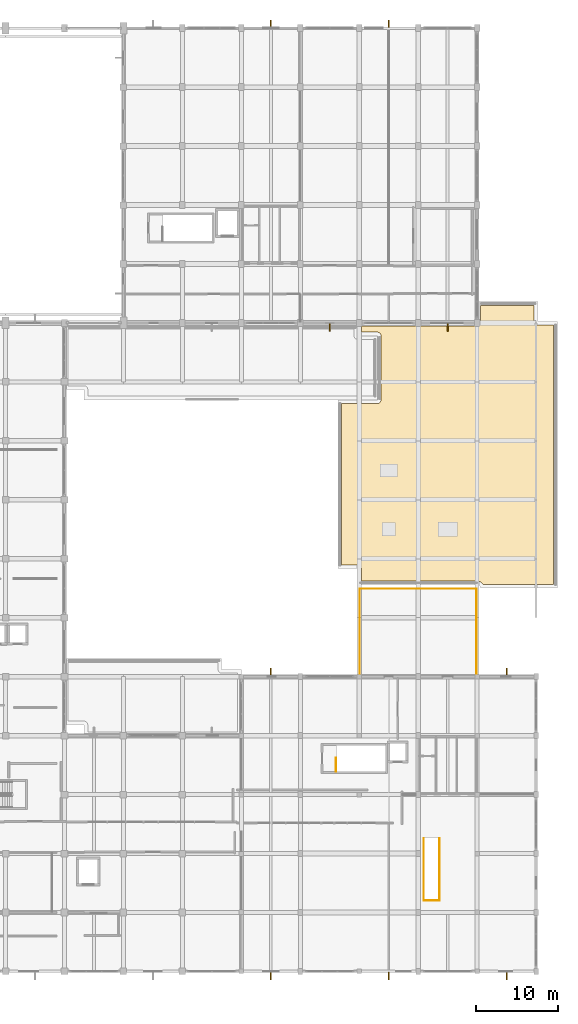
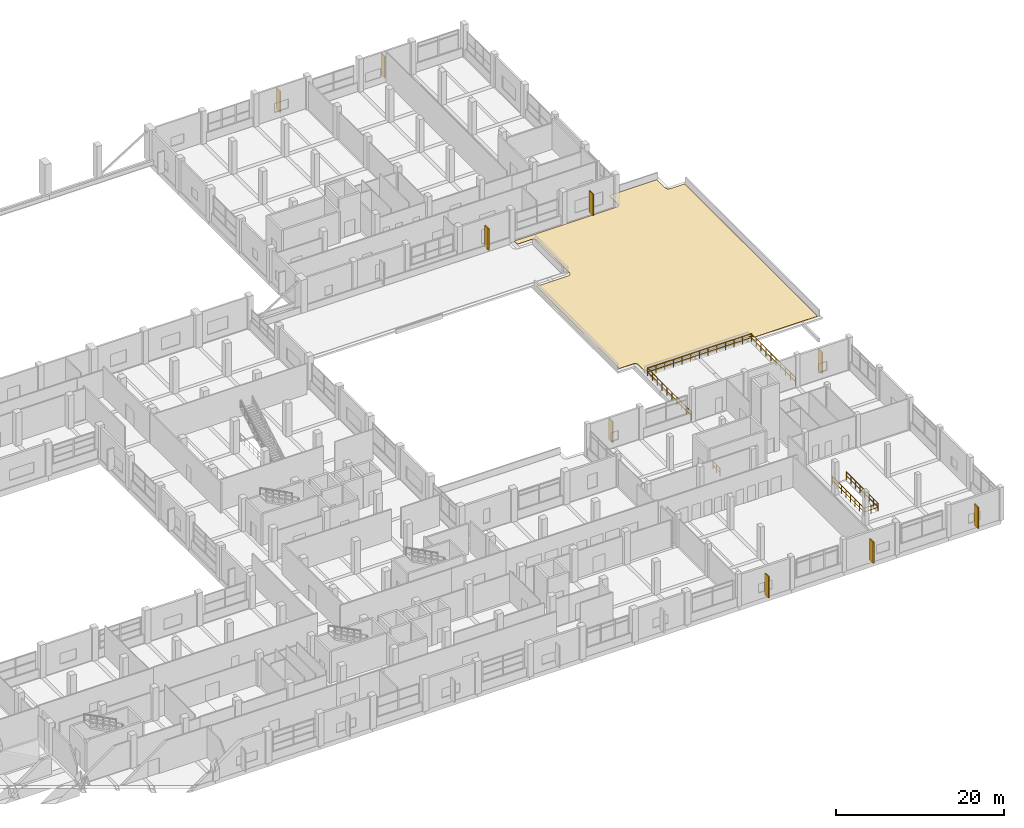
# One storey, part 140 of 140: 9 shading devices, 7 railings, 1 covering.
"""IFC4 building model written with IfcOpenShell, lengths in metres."""

from ifc_helpers import new_model, si_unit, direction, frame, origin, origin_2d, place, context, subcontext, project, spatial, polyline, rectangle, circle, outline, extrude, material, layer, layer_set, type_object, element, save


model = new_model("IFC4")

# Units and contexts
model_context = context("Model", 3, precision=1e-05, world=origin(), true_north=direction((0.0, 1.0)))
body_context = subcontext(model_context, "Body", "Model", "MODEL_VIEW")
ifc_project = project(units=[si_unit("LENGTHUNIT", "METRE"), si_unit("AREAUNIT", "SQUARE_METRE"), si_unit("VOLUMEUNIT", "CUBIC_METRE"), si_unit("PLANEANGLEUNIT", "RADIAN"), si_unit("MASSUNIT", "GRAM", prefix="KILO")], contexts=[model_context])

# Site, building, storey
site_placement = place(None, origin())
site = spatial("IfcSite", under=ifc_project, at=site_placement, CompositionType="ELEMENT")
building_placement = place(site_placement, origin())
building = spatial("IfcBuilding", under=site, at=building_placement, Name="Seraya Terrace Polytechnic", CompositionType="ELEMENT")
storey_placement = place(building_placement, frame((0.0, 0.0, 9.60009765625)))
storey = spatial("IfcBuildingStorey", under=building, at=storey_placement, Name="L02", CompositionType="ELEMENT", Elevation=9.60009765625)

# Shading devices
ifc_material_1 = material(Name="Precast concrete C40/50", Category="concrete")
shading_device_type = type_object("IfcShadingDeviceType", Name="BS-F1", PredefinedType="JALOUSIE", material=ifc_material_1)
for number, where, z_axis, x_axis, name in (
    (1, (133.199951171875, 36.570068359375, 0.449951171875), (0.0, 0.0, 1.0), (0.0, 1.0, 0.0), "Precast concrete brise-soleil fin L02"),
    (2, (162.0, 36.570068359375, 0.449951171875), (0.0, 0.0, 1.0), (0.0, 1.0, 0.0), "Precast concrete brise-soleil fin L02"),
    (3, (162.0, -0.570068359375, 0.449951171875), (0.0, 0.0, 1.0), (0.0, -1.0, 0.0), "Precast concrete brise-soleil fin L02"),
    (4, (147.60009765625, -0.570068359375, 0.449951171875), (0.0, 0.0, 1.0), (0.0, -1.0, 0.0), "Precast concrete brise-soleil fin L02"),
    (5, (133.199951171875, -0.570068359375, 0.449951171875), (0.0, 0.0, 1.0), (0.0, -1.0, 0.0), "Precast concrete brise-soleil fin L02"),
    (6, (154.800048828125, 78.64990234375, 0.449951171875), (0.0, 0.0, 1.0), (0.0, -1.0, 0.0), "Precast concrete brise-soleil fin L02"),
    (7, (140.39990234375, 78.64990234375, 0.449951171875), (0.0, 0.0, 1.0), (0.0, -1.0, 0.0), "Precast concrete brise-soleil fin L02"),
    (8, (133.199951171875, 115.75, 0.449951171875), (0.0, 0.0, 1.0), (0.0, 1.0, 0.0), "Precast concrete brise-soleil fin L02"),
    (9, (147.60009765625, 115.75, 0.449951171875), (0.0, 0.0, 1.0), (0.0, 1.0, 0.0), "Precast concrete brise-soleil fin L02"),
):
    element("IfcShadingDevice", number, at=place(storey_placement, frame(where, z_axis=z_axis, x_axis=x_axis)), inside=storey, type_object=shading_device_type, Name=name, PredefinedType="JALOUSIE", context=body_context, shape_type="SweptSolid", body=[
        extrude(rectangle(XDim=0.89990234375, YDim=0.14990234375, at=origin_2d()), origin(), (0.0, 0.0, 1.0), 3.10009765625),
    ])

# Railings
ifc_material_2 = material(Name="Steel S355J2", Category="steel")
railing_type_1 = type_object("IfcRailingType", Name="GR-01", PredefinedType="GUARDRAIL", material=ifc_material_2)
railing_1_placement = place(storey_placement, frame((158.340087890625, 36.239990234375, 0.0)))
element("IfcRailing", 10, at=railing_1_placement, inside=storey, type_object=railing_type_1, Name="Terrace perimeter guardrail TERR-L02-E E1", PredefinedType="GUARDRAIL", context=body_context, shape_type="SweptSolid", body=[
    extrude(circle(Radius=0.02392578125, at=origin_2d()), frame((0.0, 0.0, 1.10595703125), z_axis=(0.0, 1.0, 0.0), x_axis=(-1.0, 0.0, 0.0)), (0.0, 0.0, 1.0), 10.5),
    extrude(circle(Radius=0.02392578125, at=origin_2d()), frame((0.0, 0.0, 0.550048828125), z_axis=(0.0, 1.0, 0.0), x_axis=(-1.0, 0.0, 0.0)), (0.0, 0.0, 1.0), 10.5),
    extrude(circle(Radius=0.02099609375, at=origin_2d()), origin(), (0.0, 0.0, 1.0), 1.081787109375),
    extrude(circle(Radius=0.02099609375, at=origin_2d()), frame((0.0, 1.166748046875, 0.0)), (0.0, 0.0, 1.0), 1.081787109375),
    extrude(circle(Radius=0.02099609375, at=origin_2d()), frame((0.0, 2.333251953125, 0.0)), (0.0, 0.0, 1.0), 1.081787109375),
    extrude(circle(Radius=0.02099609375, at=origin_2d()), frame((0.0, 3.5, 0.0)), (0.0, 0.0, 1.0), 1.081787109375),
    extrude(circle(Radius=0.02099609375, at=origin_2d()), frame((0.0, 4.666748046875, 0.0)), (0.0, 0.0, 1.0), 1.081787109375),
    extrude(circle(Radius=0.02099609375, at=origin_2d()), frame((0.0, 5.833251953125, 0.0)), (0.0, 0.0, 1.0), 1.081787109375),
    extrude(circle(Radius=0.02099609375, at=origin_2d()), frame((0.0, 7.0, 0.0)), (0.0, 0.0, 1.0), 1.081787109375),
    extrude(circle(Radius=0.02099609375, at=origin_2d()), frame((0.0, 8.166748046875, 0.0)), (0.0, 0.0, 1.0), 1.081787109375),
    extrude(circle(Radius=0.02099609375, at=origin_2d()), frame((0.0, 9.333251953125, 0.0)), (0.0, 0.0, 1.0), 1.081787109375),
    extrude(circle(Radius=0.02099609375, at=origin_2d()), frame((0.0, 10.5, 0.0)), (0.0, 0.0, 1.0), 1.081787109375),
])
railing_2_placement = place(storey_placement, frame((158.340087890625, 46.739990234375, 0.0)))
element("IfcRailing", 11, at=railing_2_placement, inside=storey, type_object=railing_type_1, Name="Terrace perimeter guardrail TERR-L02-E N1", PredefinedType="GUARDRAIL", context=body_context, shape_type="SweptSolid", body=[
    extrude(circle(Radius=0.02392578125, at=origin_2d()), frame((0.0, 0.0, 1.10595703125), z_axis=(-1.0, 0.0, 0.0), x_axis=(0.0, -1.0, 0.0)), (0.0, 0.0, 1.0), 14.280029296875),
    extrude(circle(Radius=0.02392578125, at=origin_2d()), frame((0.0, 0.0, 0.550048828125), z_axis=(-1.0, 0.0, 0.0), x_axis=(0.0, -1.0, 0.0)), (0.0, 0.0, 1.0), 14.280029296875),
    extrude(circle(Radius=0.02099609375, at=origin_2d()), origin(), (0.0, 0.0, 1.0), 1.081787109375),
    extrude(circle(Radius=0.02099609375, at=origin_2d()), frame((-1.18994140625, 0.0, 0.0)), (0.0, 0.0, 1.0), 1.081787109375),
    extrude(circle(Radius=0.02099609375, at=origin_2d()), frame((-2.3798828125, 0.0, 0.0)), (0.0, 0.0, 1.0), 1.081787109375),
    extrude(circle(Radius=0.02099609375, at=origin_2d()), frame((-3.570068359375, 0.0, 0.0)), (0.0, 0.0, 1.0), 1.081787109375),
    extrude(circle(Radius=0.02099609375, at=origin_2d()), frame((-4.760009765625, 0.0, 0.0)), (0.0, 0.0, 1.0), 1.081787109375),
    extrude(circle(Radius=0.02099609375, at=origin_2d()), frame((-5.949951171875, 0.0, 0.0)), (0.0, 0.0, 1.0), 1.081787109375),
    extrude(circle(Radius=0.02099609375, at=origin_2d()), frame((-7.14013671875, 0.0, 0.0)), (0.0, 0.0, 1.0), 1.081787109375),
    extrude(circle(Radius=0.02099609375, at=origin_2d()), frame((-8.330078125, 0.0, 0.0)), (0.0, 0.0, 1.0), 1.081787109375),
    extrude(circle(Radius=0.02099609375, at=origin_2d()), frame((-9.52001953125, 0.0, 0.0)), (0.0, 0.0, 1.0), 1.081787109375),
    extrude(circle(Radius=0.02099609375, at=origin_2d()), frame((-10.7099609375, 0.0, 0.0)), (0.0, 0.0, 1.0), 1.081787109375),
    extrude(circle(Radius=0.02099609375, at=origin_2d()), frame((-11.89990234375, 0.0, 0.0)), (0.0, 0.0, 1.0), 1.081787109375),
    extrude(circle(Radius=0.02099609375, at=origin_2d()), frame((-13.090087890625, 0.0, 0.0)), (0.0, 0.0, 1.0), 1.081787109375),
    extrude(circle(Radius=0.02099609375, at=origin_2d()), frame((-14.280029296875, 0.0, 0.0)), (0.0, 0.0, 1.0), 1.081787109375),
])
railing_3_placement = place(storey_placement, frame((144.06005859375, 46.739990234375, 0.0)))
element("IfcRailing", 12, at=railing_3_placement, inside=storey, type_object=railing_type_1, Name="Terrace perimeter guardrail TERR-L02-E W1", PredefinedType="GUARDRAIL", context=body_context, shape_type="SweptSolid", body=[
    extrude(circle(Radius=0.02392578125, at=origin_2d()), frame((0.0, 0.0, 1.10595703125), z_axis=(0.0, -1.0, 0.0), x_axis=(1.0, 0.0, 0.0)), (0.0, 0.0, 1.0), 10.5),
    extrude(circle(Radius=0.02392578125, at=origin_2d()), frame((0.0, 0.0, 0.550048828125), z_axis=(0.0, -1.0, 0.0), x_axis=(1.0, 0.0, 0.0)), (0.0, 0.0, 1.0), 10.5),
    extrude(circle(Radius=0.02099609375, at=origin_2d()), origin(), (0.0, 0.0, 1.0), 1.081787109375),
    extrude(circle(Radius=0.02099609375, at=origin_2d()), frame((0.0, -1.166748046875, 0.0)), (0.0, 0.0, 1.0), 1.081787109375),
    extrude(circle(Radius=0.02099609375, at=origin_2d()), frame((0.0, -2.333251953125, 0.0)), (0.0, 0.0, 1.0), 1.081787109375),
    extrude(circle(Radius=0.02099609375, at=origin_2d()), frame((0.0, -3.5, 0.0)), (0.0, 0.0, 1.0), 1.081787109375),
    extrude(circle(Radius=0.02099609375, at=origin_2d()), frame((0.0, -4.666748046875, 0.0)), (0.0, 0.0, 1.0), 1.081787109375),
    extrude(circle(Radius=0.02099609375, at=origin_2d()), frame((0.0, -5.833251953125, 0.0)), (0.0, 0.0, 1.0), 1.081787109375),
    extrude(circle(Radius=0.02099609375, at=origin_2d()), frame((0.0, -7.0, 0.0)), (0.0, 0.0, 1.0), 1.081787109375),
    extrude(circle(Radius=0.02099609375, at=origin_2d()), frame((0.0, -8.166748046875, 0.0)), (0.0, 0.0, 1.0), 1.081787109375),
    extrude(circle(Radius=0.02099609375, at=origin_2d()), frame((0.0, -9.333251953125, 0.0)), (0.0, 0.0, 1.0), 1.081787109375),
    extrude(circle(Radius=0.02099609375, at=origin_2d()), frame((0.0, -10.5, 0.0)), (0.0, 0.0, 1.0), 1.081787109375),
])
railing_type_2 = type_object("IfcRailingType", Name="GR-02", PredefinedType="GUARDRAIL", material=ifc_material_2)
railing_4_placement = place(storey_placement, frame((141.14990234375, 24.39990234375, 0.0)))
element("IfcRailing", 13, at=railing_4_placement, inside=storey, type_object=railing_type_2, Name="L02 ST-10 top well guard 1", PredefinedType="GUARDRAIL", context=body_context, shape_type="SweptSolid", body=[
    extrude(circle(Radius=0.02392578125, at=origin_2d()), frame((0.0, 0.0, 1.10595703125), z_axis=(0.0, 1.0, 0.0), x_axis=(-1.0, 0.0, 0.0)), (0.0, 0.0, 1.0), 1.7001953125),
    extrude(circle(Radius=0.02392578125, at=origin_2d()), frame((0.0, 0.0, 0.550048828125), z_axis=(0.0, 1.0, 0.0), x_axis=(-1.0, 0.0, 0.0)), (0.0, 0.0, 1.0), 1.7001953125),
    extrude(circle(Radius=0.02099609375, at=origin_2d()), origin(), (0.0, 0.0, 1.0), 1.081787109375),
    extrude(circle(Radius=0.02099609375, at=origin_2d()), frame((0.0, 0.85009765625, 0.0)), (0.0, 0.0, 1.0), 1.081787109375),
    extrude(circle(Radius=0.02099609375, at=origin_2d()), frame((0.0, 1.7001953125, 0.0)), (0.0, 0.0, 1.0), 1.081787109375),
])
railing_5_placement = place(storey_placement, frame((151.8798828125, 8.679931640625, 0.0)))
element("IfcRailing", 14, at=railing_5_placement, inside=storey, type_object=railing_type_2, Name="ST-14 top opening guard L02.1", PredefinedType="GUARDRAIL", context=body_context, shape_type="SweptSolid", body=[
    extrude(circle(Radius=0.02392578125, at=origin_2d()), frame((0.0, 0.0, 1.10595703125), z_axis=(1.0, 0.0, 0.0), x_axis=(0.0, 1.0, 0.0)), (0.0, 0.0, 1.0), 1.920166015625),
    extrude(circle(Radius=0.02392578125, at=origin_2d()), frame((0.0, 0.0, 0.550048828125), z_axis=(1.0, 0.0, 0.0), x_axis=(0.0, 1.0, 0.0)), (0.0, 0.0, 1.0), 1.920166015625),
    extrude(circle(Radius=0.02099609375, at=origin_2d()), origin(), (0.0, 0.0, 1.0), 1.081787109375),
    extrude(circle(Radius=0.02099609375, at=origin_2d()), frame((0.9599609375, 0.0, 0.0)), (0.0, 0.0, 1.0), 1.081787109375),
    extrude(circle(Radius=0.02099609375, at=origin_2d()), frame((1.920166015625, 0.0, 0.0)), (0.0, 0.0, 1.0), 1.081787109375),
])
for number, where, name in (
    (15, (151.8798828125, 8.739990234375, 0.0), "ST-14 top opening guard L02.2"),
    (16, (153.800048828125, 8.739990234375, 0.0), "ST-14 top opening guard L02.3"),
):
    element("IfcRailing", number, at=place(storey_placement, frame(where)), inside=storey, type_object=railing_type_2, Name=name, PredefinedType="GUARDRAIL", context=body_context, shape_type="SweptSolid", body=[
        extrude(circle(Radius=0.02392578125, at=origin_2d()), frame((0.0, 0.0, 1.10595703125), z_axis=(0.0, 1.0, 0.0), x_axis=(-1.0, 0.0, 0.0)), (0.0, 0.0, 1.0), 7.47998046875),
        extrude(circle(Radius=0.02392578125, at=origin_2d()), frame((0.0, 0.0, 0.550048828125), z_axis=(0.0, 1.0, 0.0), x_axis=(-1.0, 0.0, 0.0)), (0.0, 0.0, 1.0), 7.47998046875),
        extrude(circle(Radius=0.02099609375, at=origin_2d()), origin(), (0.0, 0.0, 1.0), 1.081787109375),
        extrude(circle(Radius=0.02099609375, at=origin_2d()), frame((0.0, 1.068603515625, 0.0)), (0.0, 0.0, 1.0), 1.081787109375),
        extrude(circle(Radius=0.02099609375, at=origin_2d()), frame((0.0, 2.13720703125, 0.0)), (0.0, 0.0, 1.0), 1.081787109375),
        extrude(circle(Radius=0.02099609375, at=origin_2d()), frame((0.0, 3.205810546875, 0.0)), (0.0, 0.0, 1.0), 1.081787109375),
        extrude(circle(Radius=0.02099609375, at=origin_2d()), frame((0.0, 4.274169921875, 0.0)), (0.0, 0.0, 1.0), 1.081787109375),
        extrude(circle(Radius=0.02099609375, at=origin_2d()), frame((0.0, 5.3427734375, 0.0)), (0.0, 0.0, 1.0), 1.081787109375),
        extrude(circle(Radius=0.02099609375, at=origin_2d()), frame((0.0, 6.411376953125, 0.0)), (0.0, 0.0, 1.0), 1.081787109375),
        extrude(circle(Radius=0.02099609375, at=origin_2d()), frame((0.0, 7.47998046875, 0.0)), (0.0, 0.0, 1.0), 1.081787109375),
    ])

# Covering
ifc_material_3 = material(Name="Insulated TPO waterproof roofing membrane")
ifc_layer = layer(ifc_material_3, 0.06005859375, Name="RF-C1")
ifc_layer_set = layer_set([ifc_layer], Name="Insulated TPO waterproof roofing membrane")
covering_type = type_object("IfcCoveringType", Name="RF-C1", PredefinedType="ROOFING", material=ifc_layer_set)
covering_placement = place(storey_placement, origin())
element("IfcCovering", 17, at=covering_placement, inside=storey, type_object=covering_type, Name="Waterproof TPO roof covering ROOF-L02-EAST", PredefinedType="ROOFING", context=body_context, shape_type="SweptSolid", body=[
    extrude(outline(polyline([(144.2529296875, 78.804931640625), (158.42822265625, 78.813720703125), (158.552490234375, 78.85791015625), (158.658447265625, 78.9365234375), (158.756103515625, 79.082275390625), (158.788330078125, 79.210205078125), (158.794189453125, 81.35009765625), (165.35009765625, 81.35009765625), (165.352294921875, 79.35595703125), (165.403076171875, 79.18798828125), (165.481689453125, 79.081787109375), (165.627685546875, 78.984375), (165.755859375, 78.9521484375), (167.75, 78.949951171875), (167.75, 47.25), (159.143310546875, 47.25), (159.01513671875, 47.415283203125), (158.845458984375, 47.546142578125), (158.73291015625, 47.603759765625), (158.612548828125, 47.642578125), (158.39990234375, 47.669921875), (144.25, 47.669921875), (144.247802734375, 49.244140625), (144.197021484375, 49.412109375), (144.08544921875, 49.5478515625), (143.97216796875, 49.61572265625), (143.800048828125, 49.64990234375), (141.85009765625, 49.64990234375), (141.85009765625, 69.34521484375), (146.24853515625, 69.349365234375), (146.37646484375, 69.381591796875), (146.5224609375, 69.47900390625), (146.6201171875, 69.625), (146.652099609375, 69.753173828125), (146.655029296875, 77.62646484375), (146.6357421875, 77.7568359375), (146.579345703125, 77.876220703125), (146.490966796875, 77.97412109375), (146.377685546875, 78.0419921875), (146.25, 78.07421875), (144.254150390625, 78.080078125), (144.2529296875, 78.804931640625)])), origin(), (0.0, 0.0, 1.0), 0.059814453125),
])

save(model, "model.ifc")
